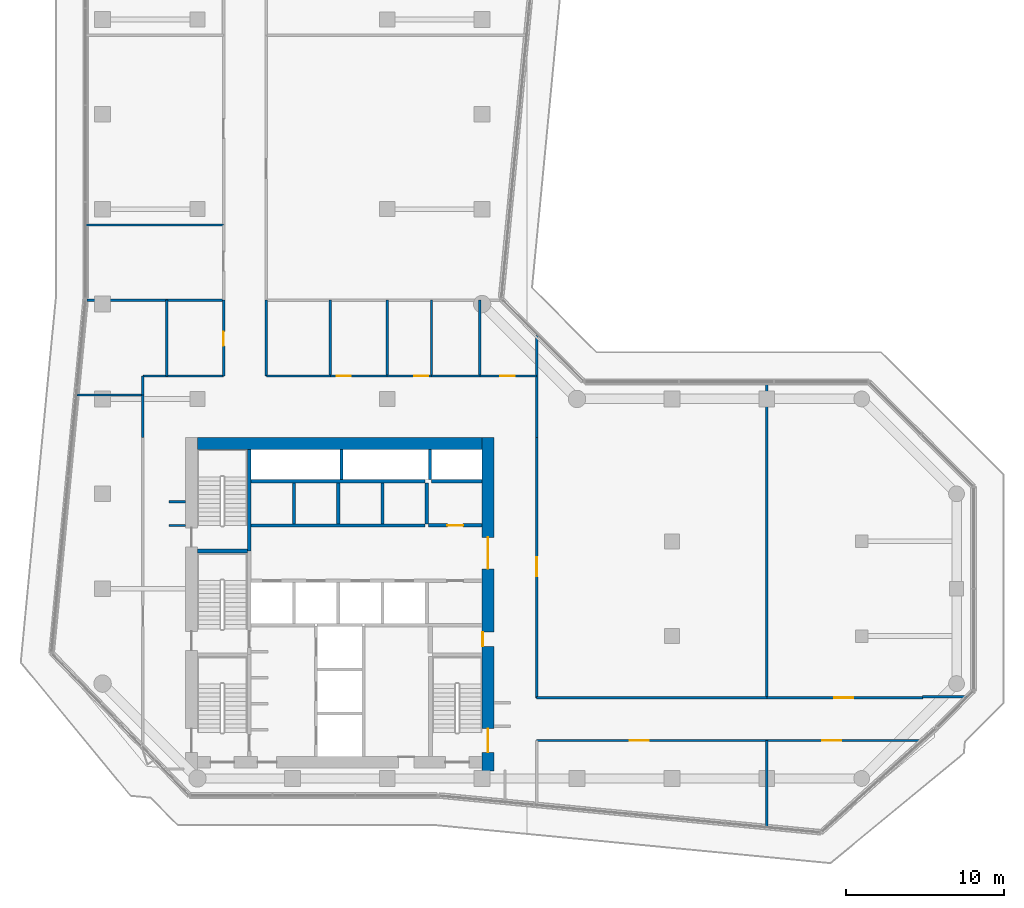
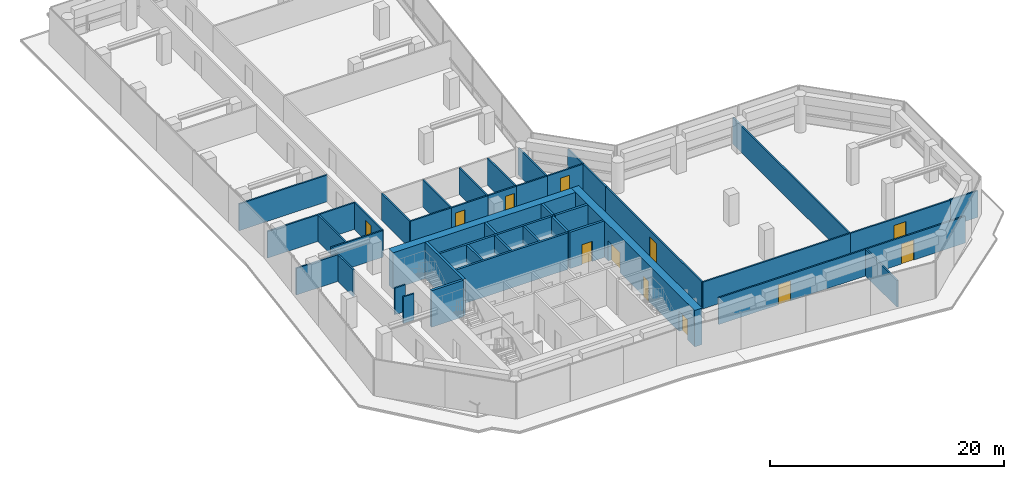
# One storey, part 9 of 12: 43 walls, 12 doors, 12 openings.
"""IFC4 building model written with IfcOpenShell, lengths in metres."""

from ifc_helpers import new_model, si_unit, direction, frame, frame_2d, origin, place, context, subcontext, project, spatial, rectangle, extrude, material, layer, layer_set, type_object, element, fill, save


model = new_model("IFC4")

# Units and contexts
model_context = context("Model", 3, precision=1e-05, world=origin(), true_north=direction((0.0, 1.0)))
body_context = subcontext(model_context, "Body", "Model", "MODEL_VIEW")
ifc_project = project(units=[si_unit("LENGTHUNIT", "METRE"), si_unit("AREAUNIT", "SQUARE_METRE"), si_unit("VOLUMEUNIT", "CUBIC_METRE"), si_unit("PLANEANGLEUNIT", "RADIAN"), si_unit("MASSUNIT", "GRAM", prefix="KILO")], contexts=[model_context])

# Site, building, storey
site_placement = place(None, origin())
site = spatial("IfcSite", under=ifc_project, at=site_placement, CompositionType="ELEMENT")
building_placement = place(site_placement, origin())
building = spatial("IfcBuilding", under=site, at=building_placement, Name="Welwitschia Terrace Campus", CompositionType="ELEMENT")
storey_placement = place(building_placement, frame((0.0, 0.0, 134.0)))
storey = spatial("IfcBuildingStorey", under=building, at=storey_placement, Name="L30", CompositionType="ELEMENT", Elevation=134.0)

# Wall, opening, door
ifc_material_1 = material(Name="Concrete C32/40", Category="concrete")
ifc_layer_1 = layer(ifc_material_1, 0.22509765625)
ifc_layer_set_1 = layer_set([ifc_layer_1], Name="Concrete C32/40")
wall_type_1 = type_object("IfcWallType", Name="Core partition 225 Concrete C32/40", PredefinedType="PARTITIONING", material=ifc_layer_set_1)
wall_1_placement = place(storey_placement, frame((24.0, 20.0, 0.0), z_axis=(0.0, 0.0, 1.0), x_axis=(-1.0, 0.0, 0.0)))
wall_1 = element("IfcWall", 1, at=wall_1_placement, inside=storey, type_object=wall_type_1, Name="Core partition", PredefinedType="PARTITIONING", context=body_context, shape_type="SweptSolid", body=[
    extrude(rectangle(XDim=3.39990234375, YDim=0.22509765625, at=frame_2d((1.699951171875, 0.0))), origin(), (0.0, 0.0, 1.0), 3.800048828125),
])
opening_1_placement = place(wall_1_placement, frame((1.199951171875, 0.0, 0.0)))
opening_1 = element("IfcOpeningElement", 2, at=opening_1_placement, cuts=wall_1, Name="Opening DR10", PredefinedType="OPENING", context=body_context, shape_type="SweptSolid", body=[
    extrude(rectangle(XDim=1.0, YDim=2.10009765625, at=frame_2d((0.5, 1.050048828125))), frame((0.0, 0.12255859375, 0.0), z_axis=(0.0, -1.0, 0.0), x_axis=(1.0, 0.0, 0.0)), (0.0, 0.0, 1.0), 0.2451171875),
])
ifc_material_2 = material(Name="Steel S275", Category="steel")
door_type_1 = type_object("IfcDoorType", Name="Core door DR10", OperationType="SINGLE_SWING_LEFT", PredefinedType="DOOR", material=ifc_material_2)
door_1_placement = place(opening_1_placement, origin())
door_1 = element("IfcDoor", 3, at=door_1_placement, inside=storey, type_object=door_type_1, Name="Door EH-D", OperationType="SINGLE_SWING_RIGHT", OverallHeight=2.10009765625, OverallWidth=1.0, PredefinedType="DOOR", context=body_context, shape_type="SweptSolid", body=[
    extrude(rectangle(XDim=1.0, YDim=2.10009765625, at=frame_2d((0.5, 1.050048828125))), frame((0.0, 0.02490234375, 0.0), z_axis=(0.0, -1.0, 0.0), x_axis=(1.0, 0.0, 0.0)), (0.0, 0.0, 1.0), 0.050048828125),
])
fill(opening_1, door_1)

# Walls
wall_2_placement = place(storey_placement, frame((20.800048828125, 22.800048828125, 0.0), z_axis=(0.0, 0.0, 1.0), x_axis=(1.0, 0.0, 0.0)))
element("IfcWall", 4, at=wall_2_placement, inside=storey, type_object=wall_type_1, Name="Shaft wall", PredefinedType="PARTITIONING", context=body_context, shape_type="SweptSolid", body=[
    extrude(rectangle(XDim=3.199951171875, YDim=0.22509765625, at=frame_2d((1.60009765625, 0.0))), origin(), (0.0, 0.0, 1.0), 3.800048828125),
])
wall_3_placement = place(storey_placement, frame((20.5, 20.10009765625, 0.0), z_axis=(0.0, 0.0, 1.0), x_axis=(0.0, 1.0, 0.0)))
element("IfcWall", 5, at=wall_3_placement, inside=storey, type_object=wall_type_1, Name="Shaft wall", PredefinedType="PARTITIONING", context=body_context, shape_type="SweptSolid", body=[
    extrude(rectangle(XDim=2.599853515625, YDim=0.22509765625, at=frame_2d((1.2998046875, 0.0))), origin(), (0.0, 0.0, 1.0), 3.800048828125),
])
ifc_material_3 = material(Name="Concrete C50/60", Category="concrete")
ifc_layer_2 = layer(ifc_material_3, 0.199951171875)
ifc_layer_set_2 = layer_set([ifc_layer_2], Name="Concrete C50/60")
wall_type_2 = type_object("IfcWallType", Name="Core wall 200 Concrete C50/60", PredefinedType="SHEAR", material=ifc_layer_set_2)
for number, where, z_axis, x_axis, name in (
    (6, (9.39990234375, 20.0, 0.0), (0.0, 0.0, 1.0), (1.0, 0.0, 0.0), "Core wall"),
    (7, (9.39990234375, 22.800048828125, 0.0), (0.0, 0.0, 1.0), (1.0, 0.0, 0.0), "Core wall"),
):
    element("IfcWall", number, at=place(storey_placement, frame(where, z_axis=z_axis, x_axis=x_axis)), inside=storey, type_object=wall_type_2, Name=name, PredefinedType="SHEAR", context=body_context, shape_type="SweptSolid", body=[
        extrude(rectangle(XDim=11.0, YDim=0.199951171875, at=frame_2d((5.5, 0.0))), origin(), (0.0, 0.0, 1.0), 3.800048828125),
    ])
for number, where, z_axis, x_axis, name in (
    (8, (12.10009765625, 20.10009765625, 0.0), (0.0, 0.0, 1.0), (0.0, 1.0, 0.0), "Core wall"),
    (9, (14.89990234375, 20.10009765625, 0.0), (0.0, 0.0, 1.0), (0.0, 1.0, 0.0), "Core wall"),
):
    element("IfcWall", number, at=place(storey_placement, frame(where, z_axis=z_axis, x_axis=x_axis)), inside=storey, type_object=wall_type_2, Name=name, PredefinedType="SHEAR", context=body_context, shape_type="SweptSolid", body=[
        extrude(rectangle(XDim=2.599853515625, YDim=0.199951171875, at=frame_2d((1.2998046875, 0.0))), origin(), (0.0, 0.0, 1.0), 3.800048828125),
    ])
wall_4_placement = place(storey_placement, frame((15.10009765625, 22.89990234375, 0.0), z_axis=(0.0, 0.0, 1.0), x_axis=(0.0, 1.0, 0.0)))
element("IfcWall", 10, at=wall_4_placement, inside=storey, type_object=wall_type_2, Name="Core wall", PredefinedType="SHEAR", context=body_context, shape_type="SweptSolid", body=[
    extrude(rectangle(XDim=1.900146484375, YDim=0.199951171875, at=frame_2d((0.9501953125, 0.0))), origin(), (0.0, 0.0, 1.0), 3.800048828125),
])
wall_5_placement = place(storey_placement, frame((17.699951171875, 20.10009765625, 0.0), z_axis=(0.0, 0.0, 1.0), x_axis=(0.0, 1.0, 0.0)))
element("IfcWall", 11, at=wall_5_placement, inside=storey, type_object=wall_type_2, Name="Core wall", PredefinedType="SHEAR", context=body_context, shape_type="SweptSolid", body=[
    extrude(rectangle(XDim=2.599853515625, YDim=0.199951171875, at=frame_2d((1.2998046875, 0.0))), origin(), (0.0, 0.0, 1.0), 3.800048828125),
])
wall_6_placement = place(storey_placement, frame((20.699951171875, 22.89990234375, 0.0), z_axis=(0.0, 0.0, 1.0), x_axis=(0.0, 1.0, 0.0)))
element("IfcWall", 12, at=wall_6_placement, inside=storey, type_object=wall_type_2, Name="Core wall", PredefinedType="SHEAR", context=body_context, shape_type="SweptSolid", body=[
    extrude(rectangle(XDim=1.900146484375, YDim=0.199951171875, at=frame_2d((0.9501953125, 0.0))), origin(), (0.0, 0.0, 1.0), 3.800048828125),
])
ifc_material_4 = material(Name="Concrete C50/60", Category="concrete")
ifc_layer_3 = layer(ifc_material_4, 0.25)
ifc_layer_set_3 = layer_set([ifc_layer_3], Name="Concrete C50/60")
wall_type_3 = type_object("IfcWallType", Name="Core wall 250 Concrete C50/60", PredefinedType="SHEAR", material=ifc_layer_set_3)
wall_7_placement = place(storey_placement, frame((6.0, 18.375, 0.0), z_axis=(0.0, 0.0, 1.0), x_axis=(1.0, 0.0, 0.0)))
element("IfcWall", 13, at=wall_7_placement, inside=storey, type_object=wall_type_3, Name="Core wall", PredefinedType="SHEAR", context=body_context, shape_type="SweptSolid", body=[
    extrude(rectangle(XDim=3.14990234375, YDim=0.25, at=frame_2d((1.574951171875, 0.0))), origin(), (0.0, 0.0, 1.0), 3.800048828125),
])
wall_8_placement = place(storey_placement, frame((9.27490234375, 18.375, 0.0), z_axis=(0.0, 0.0, 1.0), x_axis=(0.0, 1.0, 0.0)))
element("IfcWall", 14, at=wall_8_placement, inside=storey, type_object=wall_type_3, Name="Core wall", PredefinedType="SHEAR", context=body_context, shape_type="SweptSolid", body=[
    extrude(rectangle(XDim=6.425048828125, YDim=0.25, at=frame_2d((3.21240234375, 0.0))), origin(), (0.0, 0.0, 1.0), 3.800048828125),
])

# Wall, openings, doors
ifc_material_5 = material(Name="Concrete C70/85", Category="concrete")
ifc_layer_4 = layer(ifc_material_5, 0.75)
ifc_layer_set_4 = layer_set([ifc_layer_4], Name="Concrete C70/85")
wall_type_4 = type_object("IfcWallType", Name="Core wall 750 Concrete C70/85", PredefinedType="SHEAR", material=ifc_layer_set_4)
wall_9_placement = place(storey_placement, frame((24.375, 25.550048828125, 0.0), z_axis=(0.0, 0.0, 1.0), x_axis=(0.0, -1.0, 0.0)))
wall_9 = element("IfcWall", 15, at=wall_9_placement, inside=storey, type_object=wall_type_4, Name="Core outer wall", PredefinedType="SHEAR", context=body_context, shape_type="SweptSolid", body=[
    extrude(rectangle(XDim=21.080078125, YDim=0.75, at=frame_2d((10.5400390625, 0.0))), origin(), (0.0, 0.0, 1.0), 3.800048828125),
])
opening_2_placement = place(wall_9_placement, frame((18.39990234375, 0.0, 0.0)))
opening_2 = element("IfcOpeningElement", 16, at=opening_2_placement, cuts=wall_9, Name="Opening DS15", PredefinedType="OPENING", context=body_context, shape_type="SweptSolid", body=[
    extrude(rectangle(XDim=1.5, YDim=2.10009765625, at=frame_2d((0.75, 1.050048828125))), frame((0.0, 0.385009765625, 0.0), z_axis=(0.0, -1.0, 0.0), x_axis=(1.0, 0.0, 0.0)), (0.0, 0.0, 1.0), 0.77001953125),
])
opening_3_placement = place(wall_9_placement, frame((12.300048828125, 0.0, 0.0)))
opening_3 = element("IfcOpeningElement", 17, at=opening_3_placement, cuts=wall_9, Name="Opening DR09", PredefinedType="OPENING", context=body_context, shape_type="SweptSolid", body=[
    extrude(rectangle(XDim=0.89990234375, YDim=2.10009765625, at=frame_2d((0.449951171875, 1.050048828125))), frame((0.0, 0.385009765625, 0.0), z_axis=(0.0, -1.0, 0.0), x_axis=(1.0, 0.0, 0.0)), (0.0, 0.0, 1.0), 0.77001953125),
])
opening_4_placement = place(wall_9_placement, frame((6.300048828125, 0.0, 0.0)))
opening_4 = element("IfcOpeningElement", 18, at=opening_4_placement, cuts=wall_9, Name="Opening DL20", PredefinedType="OPENING", context=body_context, shape_type="SweptSolid", body=[
    extrude(rectangle(XDim=2.0, YDim=2.10009765625, at=frame_2d((1.0, 1.050048828125))), frame((0.0, 0.385009765625, 0.0), z_axis=(0.0, -1.0, 0.0), x_axis=(1.0, 0.0, 0.0)), (0.0, 0.0, 1.0), 0.77001953125),
])
ifc_material_6 = material(Name="Steel S275", Category="steel")
door_type_2 = type_object("IfcDoorType", Name="Core door DL20", OperationType="DOUBLE_DOOR_SINGLE_SWING", PredefinedType="DOOR", material=ifc_material_6)
door_2_placement = place(opening_4_placement, origin())
door_2 = element("IfcDoor", 19, at=door_2_placement, inside=storey, type_object=door_type_2, Name="Door LOBBY-out", OperationType="DOUBLE_DOOR_SINGLE_SWING", OverallHeight=2.10009765625, OverallWidth=2.0, PredefinedType="DOOR", context=body_context, shape_type="SweptSolid", body=[
    extrude(rectangle(XDim=2.0, YDim=2.10009765625, at=frame_2d((1.0, 1.050048828125))), frame((0.0, 0.02490234375, 0.0), z_axis=(0.0, -1.0, 0.0), x_axis=(1.0, 0.0, 0.0)), (0.0, 0.0, 1.0), 0.050048828125),
])
fill(opening_4, door_2)
ifc_material_7 = material(Name="Steel S275", Category="steel")
door_type_3 = type_object("IfcDoorType", Name="Core door DR09", OperationType="SINGLE_SWING_LEFT", PredefinedType="DOOR", material=ifc_material_7)
door_3_placement = place(opening_3_placement, origin())
door_3 = element("IfcDoor", 20, at=door_3_placement, inside=storey, type_object=door_type_3, Name="Door F1B-out", OperationType="SINGLE_SWING_RIGHT", OverallHeight=2.10009765625, OverallWidth=0.89990234375, PredefinedType="DOOR", context=body_context, shape_type="SweptSolid", body=[
    extrude(rectangle(XDim=0.89990234375, YDim=2.10009765625, at=frame_2d((0.449951171875, 1.050048828125))), frame((0.0, -0.31494140625, 0.0), z_axis=(0.0, -1.0, 0.0), x_axis=(1.0, 0.0, 0.0)), (0.0, 0.0, 1.0), 0.050048828125),
])
fill(opening_3, door_3)
ifc_material_8 = material(Name="Steel S275", Category="steel")
door_type_4 = type_object("IfcDoorType", Name="Core door DS15", OperationType="DOUBLE_DOOR_SINGLE_SWING", PredefinedType="DOOR", material=ifc_material_8)
door_4_placement = place(opening_2_placement, origin())
door_4 = element("IfcDoor", 21, at=door_4_placement, inside=storey, type_object=door_type_4, Name="Door S2-out", OperationType="DOUBLE_DOOR_SINGLE_SWING", OverallHeight=2.10009765625, OverallWidth=1.5, PredefinedType="DOOR", context=body_context, shape_type="SweptSolid", body=[
    extrude(rectangle(XDim=1.5, YDim=2.10009765625, at=frame_2d((0.75, 1.050048828125))), frame((0.0, 0.02490234375, 0.0), z_axis=(0.0, -1.0, 0.0), x_axis=(1.0, 0.0, 0.0)), (0.0, 0.0, 1.0), 0.050048828125),
])
fill(opening_2, door_4)

# Walls
wall_10_placement = place(storey_placement, frame((6.0, 25.175048828125, 0.0), z_axis=(0.0, 0.0, 1.0), x_axis=(1.0, 0.0, 0.0)))
element("IfcWall", 22, at=wall_10_placement, inside=storey, type_object=wall_type_4, Name="Core outer wall", PredefinedType="SHEAR", context=body_context, shape_type="SweptSolid", body=[
    extrude(rectangle(XDim=18.0, YDim=0.75, at=frame_2d((9.0, 0.0))), origin(), (0.0, 0.0, 1.0), 3.800048828125),
])
ifc_material_9 = material(Name="Gypsum board on steel studs", Category="steel")
ifc_layer_5 = layer(ifc_material_9, 0.14990234375)
ifc_layer_set_5 = layer_set([ifc_layer_5], Name="Gypsum board on steel studs")
wall_type_5 = type_object("IfcWallType", Name="Corridor partition 150 EI 30", PredefinedType="PARTITIONING", material=ifc_layer_set_5)
wall_11_placement = place(storey_placement, frame((-1.6201171875, 28.25, 0.0), z_axis=(0.0, 0.0, 1.0), x_axis=(1.0, 0.0, 0.0)))
element("IfcWall", 23, at=wall_11_placement, inside=storey, type_object=wall_type_5, Name="Partition", PredefinedType="PARTITIONING", context=body_context, shape_type="SweptSolid", body=[
    extrude(rectangle(XDim=4.170166015625, YDim=0.14990234375, at=frame_2d((2.0849609375, 0.0))), origin(), (0.0, 0.0, 1.0), 2.780029296875),
])
wall_12_placement = place(storey_placement, frame((-0.98095703125, 34.25, 0.0), z_axis=(0.0, 0.0, 1.0), x_axis=(1.0, 0.0, 0.0)))
element("IfcWall", 24, at=wall_12_placement, inside=storey, type_object=wall_type_5, Name="Partition", PredefinedType="PARTITIONING", context=body_context, shape_type="SweptSolid", body=[
    extrude(rectangle(XDim=8.630859375, YDim=0.14990234375, at=frame_2d((4.3154296875, 0.0))), origin(), (0.0, 0.0, 1.0), 2.780029296875),
])
wall_13_placement = place(storey_placement, frame((-1.0400390625, 39.0, 0.0), z_axis=(0.0, 0.0, 1.0), x_axis=(1.0, 0.0, 0.0)))
element("IfcWall", 25, at=wall_13_placement, inside=storey, type_object=wall_type_5, Name="Partition", PredefinedType="PARTITIONING", context=body_context, shape_type="SweptSolid", body=[
    extrude(rectangle(XDim=8.68994140625, YDim=0.14990234375, at=frame_2d((4.344970703125, 0.0))), origin(), (0.0, 0.0, 1.0), 2.780029296875),
])
wall_14_placement = place(storey_placement, frame((2.550048828125, 25.550048828125, 0.0), z_axis=(0.0, 0.0, 1.0), x_axis=(0.0, 1.0, 0.0)))
element("IfcWall", 26, at=wall_14_placement, inside=storey, type_object=wall_type_5, Name="Partition", PredefinedType="PARTITIONING", context=body_context, shape_type="SweptSolid", body=[
    extrude(rectangle(XDim=2.699951171875, YDim=0.14990234375, at=frame_2d((1.35009765625, 0.0))), origin(), (0.0, 0.0, 1.0), 2.780029296875),
])
wall_15_placement = place(storey_placement, frame((2.550048828125, 28.25, 0.0), z_axis=(0.0, 0.0, 1.0), x_axis=(0.0, 1.0, 0.0)))
element("IfcWall", 27, at=wall_15_placement, inside=storey, type_object=wall_type_5, Name="Partition", PredefinedType="PARTITIONING", context=body_context, shape_type="SweptSolid", body=[
    extrude(rectangle(XDim=1.199951171875, YDim=0.14990234375, at=frame_2d((0.60009765625, 0.0))), origin(), (0.0, 0.0, 1.0), 2.780029296875),
])
wall_16_placement = place(storey_placement, frame((2.550048828125, 29.449951171875, 0.0), z_axis=(0.0, 0.0, 1.0), x_axis=(1.0, 0.0, 0.0)))
element("IfcWall", 28, at=wall_16_placement, inside=storey, type_object=wall_type_5, Name="Partition", PredefinedType="PARTITIONING", context=body_context, shape_type="SweptSolid", body=[
    extrude(rectangle(XDim=5.099853515625, YDim=0.14990234375, at=frame_2d((2.5498046875, 0.0))), origin(), (0.0, 0.0, 1.0), 2.780029296875),
])
wall_17_placement = place(storey_placement, frame((4.050048828125, 29.449951171875, 0.0), z_axis=(0.0, 0.0, 1.0), x_axis=(0.0, 1.0, 0.0)))
element("IfcWall", 29, at=wall_17_placement, inside=storey, type_object=wall_type_5, Name="Partition", PredefinedType="PARTITIONING", context=body_context, shape_type="SweptSolid", body=[
    extrude(rectangle(XDim=4.800048828125, YDim=0.14990234375, at=frame_2d((2.39990234375, 0.0))), origin(), (0.0, 0.0, 1.0), 2.780029296875),
])
for number, where, z_axis, x_axis, name in (
    (30, (4.199951171875, 20.0, 0.0), (0.0, 0.0, 1.0), (1.0, 0.0, 0.0), "Partition"),
    (31, (4.199951171875, 21.5, 0.0), (0.0, 0.0, 1.0), (1.0, 0.0, 0.0), "Partition"),
):
    element("IfcWall", number, at=place(storey_placement, frame(where, z_axis=z_axis, x_axis=x_axis)), inside=storey, type_object=wall_type_5, Name=name, PredefinedType="PARTITIONING", context=body_context, shape_type="SweptSolid", body=[
        extrude(rectangle(XDim=1.050048828125, YDim=0.14990234375, at=frame_2d((0.52490234375, 0.0))), origin(), (0.0, 0.0, 1.0), 2.780029296875),
    ])

# Wall, opening, door
wall_18_placement = place(storey_placement, frame((7.64990234375, 29.449951171875, 0.0), z_axis=(0.0, 0.0, 1.0), x_axis=(0.0, 1.0, 0.0)))
wall_18 = element("IfcWall", 32, at=wall_18_placement, inside=storey, type_object=wall_type_5, Name="Partition", PredefinedType="PARTITIONING", context=body_context, shape_type="SweptSolid", body=[
    extrude(rectangle(XDim=4.800048828125, YDim=0.14990234375, at=frame_2d((2.39990234375, 0.0))), origin(), (0.0, 0.0, 1.0), 2.780029296875),
])
opening_5_placement = place(wall_18_placement, frame((1.89990234375, 0.0, 0.0)))
opening_5 = element("IfcOpeningElement", 33, at=opening_5_placement, cuts=wall_18, Name="Opening DI09", PredefinedType="OPENING", context=body_context, shape_type="SweptSolid", body=[
    extrude(rectangle(XDim=0.89990234375, YDim=2.10009765625, at=frame_2d((0.449951171875, 1.050048828125))), frame((0.0, 0.0849609375, 0.0), z_axis=(0.0, -1.0, 0.0), x_axis=(1.0, 0.0, 0.0)), (0.0, 0.0, 1.0), 0.169921875),
])
ifc_material_10 = material(Name="Timber veneered door", Category="wood")
door_type_5 = type_object("IfcDoorType", Name="Interior door DI09", OperationType="NOTDEFINED", PredefinedType="DOOR", material=ifc_material_10)
door_5_placement = place(opening_5_placement, origin())
door_5 = element("IfcDoor", 34, at=door_5_placement, inside=storey, type_object=door_type_5, Name="Door L30 635", OperationType="SINGLE_SWING_RIGHT", OverallHeight=2.10009765625, OverallWidth=0.89990234375, PredefinedType="DOOR", context=body_context, shape_type="SweptSolid", body=[
    extrude(rectangle(XDim=0.89990234375, YDim=2.10009765625, at=frame_2d((0.449951171875, 1.050048828125))), frame((0.0, 0.02490234375, 0.0), z_axis=(0.0, -1.0, 0.0), x_axis=(1.0, 0.0, 0.0)), (0.0, 0.0, 1.0), 0.050048828125),
])
fill(opening_5, door_5)

# Walls
wall_19_placement = place(storey_placement, frame((10.35009765625, 29.449951171875, 0.0), z_axis=(0.0, 0.0, 1.0), x_axis=(0.0, 1.0, 0.0)))
element("IfcWall", 35, at=wall_19_placement, inside=storey, type_object=wall_type_5, Name="Partition", PredefinedType="PARTITIONING", context=body_context, shape_type="SweptSolid", body=[
    extrude(rectangle(XDim=4.800048828125, YDim=0.14990234375, at=frame_2d((2.39990234375, 0.0))), origin(), (0.0, 0.0, 1.0), 2.780029296875),
])
wall_20_placement = place(storey_placement, frame((10.35009765625, 29.449951171875, 0.0), z_axis=(0.0, 0.0, 1.0), x_axis=(1.0, 0.0, 0.0)))
element("IfcWall", 36, at=wall_20_placement, inside=storey, type_object=wall_type_5, Name="Partition", PredefinedType="PARTITIONING", context=body_context, shape_type="SweptSolid", body=[
    extrude(rectangle(XDim=4.0498046875, YDim=0.14990234375, at=frame_2d((2.02490234375, 0.0))), origin(), (0.0, 0.0, 1.0), 2.780029296875),
])
wall_21_placement = place(storey_placement, frame((14.39990234375, 29.449951171875, 0.0), z_axis=(0.0, 0.0, 1.0), x_axis=(0.0, 1.0, 0.0)))
element("IfcWall", 37, at=wall_21_placement, inside=storey, type_object=wall_type_5, Name="Partition", PredefinedType="PARTITIONING", context=body_context, shape_type="SweptSolid", body=[
    extrude(rectangle(XDim=4.800048828125, YDim=0.14990234375, at=frame_2d((2.39990234375, 0.0))), origin(), (0.0, 0.0, 1.0), 2.780029296875),
])

# Wall, opening, door
wall_22_placement = place(storey_placement, frame((14.39990234375, 29.449951171875, 0.0), z_axis=(0.0, 0.0, 1.0), x_axis=(1.0, 0.0, 0.0)))
wall_22 = element("IfcWall", 38, at=wall_22_placement, inside=storey, type_object=wall_type_5, Name="Partition", PredefinedType="PARTITIONING", context=body_context, shape_type="SweptSolid", body=[
    extrude(rectangle(XDim=3.60009765625, YDim=0.14990234375, at=frame_2d((1.800048828125, 0.0))), origin(), (0.0, 0.0, 1.0), 2.780029296875),
])
opening_6_placement = place(wall_22_placement, frame((0.39990234375, 0.0, 0.0)))
opening_6 = element("IfcOpeningElement", 39, at=opening_6_placement, cuts=wall_22, Name="Opening DI09", PredefinedType="OPENING", context=body_context, shape_type="SweptSolid", body=[
    extrude(rectangle(XDim=0.89990234375, YDim=2.10009765625, at=frame_2d((0.449951171875, 1.050048828125))), frame((0.0, 0.0849609375, 0.0), z_axis=(0.0, -1.0, 0.0), x_axis=(1.0, 0.0, 0.0)), (0.0, 0.0, 1.0), 0.169921875),
])
door_6_placement = place(opening_6_placement, origin())
door_6 = element("IfcDoor", 40, at=door_6_placement, inside=storey, type_object=door_type_5, Name="Door L30 642", OperationType="SINGLE_SWING_LEFT", OverallHeight=2.10009765625, OverallWidth=0.89990234375, PredefinedType="DOOR", context=body_context, shape_type="SweptSolid", body=[
    extrude(rectangle(XDim=0.89990234375, YDim=2.10009765625, at=frame_2d((0.449951171875, 1.050048828125))), frame((0.0, 0.02490234375, 0.0), z_axis=(0.0, -1.0, 0.0), x_axis=(1.0, 0.0, 0.0)), (0.0, 0.0, 1.0), 0.050048828125),
])
fill(opening_6, door_6)

# Wall
wall_23_placement = place(storey_placement, frame((18.0, 29.449951171875, 0.0), z_axis=(0.0, 0.0, 1.0), x_axis=(0.0, 1.0, 0.0)))
element("IfcWall", 41, at=wall_23_placement, inside=storey, type_object=wall_type_5, Name="Partition", PredefinedType="PARTITIONING", context=body_context, shape_type="SweptSolid", body=[
    extrude(rectangle(XDim=4.800048828125, YDim=0.14990234375, at=frame_2d((2.39990234375, 0.0))), origin(), (0.0, 0.0, 1.0), 2.780029296875),
])

# Wall, opening, door
wall_24_placement = place(storey_placement, frame((18.0, 29.449951171875, 0.0), z_axis=(0.0, 0.0, 1.0), x_axis=(1.0, 0.0, 0.0)))
wall_24 = element("IfcWall", 42, at=wall_24_placement, inside=storey, type_object=wall_type_5, Name="Partition", PredefinedType="PARTITIONING", context=body_context, shape_type="SweptSolid", body=[
    extrude(rectangle(XDim=2.800048828125, YDim=0.14990234375, at=frame_2d((1.39990234375, 0.0))), origin(), (0.0, 0.0, 1.0), 2.780029296875),
])
opening_7_placement = place(wall_24_placement, frame((1.699951171875, 0.0, 0.0)))
opening_7 = element("IfcOpeningElement", 43, at=opening_7_placement, cuts=wall_24, Name="Opening DI09", PredefinedType="OPENING", context=body_context, shape_type="SweptSolid", body=[
    extrude(rectangle(XDim=0.89990234375, YDim=2.10009765625, at=frame_2d((0.449951171875, 1.050048828125))), frame((0.0, 0.0849609375, 0.0), z_axis=(0.0, -1.0, 0.0), x_axis=(1.0, 0.0, 0.0)), (0.0, 0.0, 1.0), 0.169921875),
])
door_7_placement = place(opening_7_placement, origin())
door_7 = element("IfcDoor", 44, at=door_7_placement, inside=storey, type_object=door_type_5, Name="Door L30 643", OperationType="SINGLE_SWING_RIGHT", OverallHeight=2.10009765625, OverallWidth=0.89990234375, PredefinedType="DOOR", context=body_context, shape_type="SweptSolid", body=[
    extrude(rectangle(XDim=0.89990234375, YDim=2.10009765625, at=frame_2d((0.449951171875, 1.050048828125))), frame((0.0, 0.02490234375, 0.0), z_axis=(0.0, -1.0, 0.0), x_axis=(1.0, 0.0, 0.0)), (0.0, 0.0, 1.0), 0.050048828125),
])
fill(opening_7, door_7)

# Walls
wall_25_placement = place(storey_placement, frame((20.800048828125, 29.449951171875, 0.0), z_axis=(0.0, 0.0, 1.0), x_axis=(0.0, 1.0, 0.0)))
element("IfcWall", 45, at=wall_25_placement, inside=storey, type_object=wall_type_5, Name="Partition", PredefinedType="PARTITIONING", context=body_context, shape_type="SweptSolid", body=[
    extrude(rectangle(XDim=4.800048828125, YDim=0.14990234375, at=frame_2d((2.39990234375, 0.0))), origin(), (0.0, 0.0, 1.0), 2.780029296875),
])
wall_26_placement = place(storey_placement, frame((20.800048828125, 29.449951171875, 0.0), z_axis=(0.0, 0.0, 1.0), x_axis=(1.0, 0.0, 0.0)))
element("IfcWall", 46, at=wall_26_placement, inside=storey, type_object=wall_type_5, Name="Partition", PredefinedType="PARTITIONING", context=body_context, shape_type="SweptSolid", body=[
    extrude(rectangle(XDim=3.050048828125, YDim=0.14990234375, at=frame_2d((1.52490234375, 0.0))), origin(), (0.0, 0.0, 1.0), 2.780029296875),
])
wall_27_placement = place(storey_placement, frame((23.85009765625, 29.449951171875, 0.0), z_axis=(0.0, 0.0, 1.0), x_axis=(0.0, 1.0, 0.0)))
element("IfcWall", 47, at=wall_27_placement, inside=storey, type_object=wall_type_5, Name="Partition", PredefinedType="PARTITIONING", context=body_context, shape_type="SweptSolid", body=[
    extrude(rectangle(XDim=4.800048828125, YDim=0.14990234375, at=frame_2d((2.39990234375, 0.0))), origin(), (0.0, 0.0, 1.0), 2.780029296875),
])

# Wall, opening, door
wall_28_placement = place(storey_placement, frame((23.85009765625, 29.449951171875, 0.0), z_axis=(0.0, 0.0, 1.0), x_axis=(1.0, 0.0, 0.0)))
wall_28 = element("IfcWall", 48, at=wall_28_placement, inside=storey, type_object=wall_type_5, Name="Partition", PredefinedType="PARTITIONING", context=body_context, shape_type="SweptSolid", body=[
    extrude(rectangle(XDim=3.599853515625, YDim=0.14990234375, at=frame_2d((1.7998046875, 0.0))), origin(), (0.0, 0.0, 1.0), 2.780029296875),
])
opening_8_placement = place(wall_28_placement, frame((1.300048828125, 0.0, 0.0)))
opening_8 = element("IfcOpeningElement", 49, at=opening_8_placement, cuts=wall_28, Name="Opening DI09", PredefinedType="OPENING", context=body_context, shape_type="SweptSolid", body=[
    extrude(rectangle(XDim=0.89990234375, YDim=2.10009765625, at=frame_2d((0.449951171875, 1.050048828125))), frame((0.0, 0.0849609375, 0.0), z_axis=(0.0, -1.0, 0.0), x_axis=(1.0, 0.0, 0.0)), (0.0, 0.0, 1.0), 0.169921875),
])
door_8_placement = place(opening_8_placement, origin())
door_8 = element("IfcDoor", 50, at=door_8_placement, inside=storey, type_object=door_type_5, Name="Door L30 644", OperationType="SINGLE_SWING_LEFT", OverallHeight=2.10009765625, OverallWidth=0.89990234375, PredefinedType="DOOR", context=body_context, shape_type="SweptSolid", body=[
    extrude(rectangle(XDim=0.89990234375, YDim=2.10009765625, at=frame_2d((0.449951171875, 1.050048828125))), frame((0.0, 0.02490234375, 0.0), z_axis=(0.0, -1.0, 0.0), x_axis=(1.0, 0.0, 0.0)), (0.0, 0.0, 1.0), 0.050048828125),
])
fill(opening_8, door_8)

# Wall
wall_29_placement = place(storey_placement, frame((27.449951171875, 9.10009765625, 0.0), z_axis=(0.0, 0.0, 1.0), x_axis=(1.0, 0.0, 0.0)))
element("IfcWall", 51, at=wall_29_placement, inside=storey, type_object=wall_type_5, Name="Partition", PredefinedType="PARTITIONING", context=body_context, shape_type="SweptSolid", body=[
    extrude(rectangle(XDim=14.550048828125, YDim=0.14990234375, at=frame_2d((7.27490234375, 0.0))), origin(), (0.0, 0.0, 1.0), 2.780029296875),
])

# Wall, opening, door
wall_30_placement = place(storey_placement, frame((27.449951171875, 25.550048828125, 0.0), z_axis=(0.0, 0.0, 1.0), x_axis=(0.0, -1.0, 0.0)))
wall_30 = element("IfcWall", 52, at=wall_30_placement, inside=storey, type_object=wall_type_5, Name="Partition", PredefinedType="PARTITIONING", context=body_context, shape_type="SweptSolid", body=[
    extrude(rectangle(XDim=16.449951171875, YDim=0.14990234375, at=frame_2d((8.22509765625, 0.0))), origin(), (0.0, 0.0, 1.0), 2.780029296875),
])
opening_9_placement = place(wall_30_placement, frame((7.550048828125, 0.0, 0.0)))
opening_9 = element("IfcOpeningElement", 53, at=opening_9_placement, cuts=wall_30, Name="Opening DX12", PredefinedType="OPENING", context=body_context, shape_type="SweptSolid", body=[
    extrude(rectangle(XDim=1.199951171875, YDim=2.10009765625, at=frame_2d((0.60009765625, 1.050048828125))), frame((0.0, 0.0849609375, 0.0), z_axis=(0.0, -1.0, 0.0), x_axis=(1.0, 0.0, 0.0)), (0.0, 0.0, 1.0), 0.169921875),
])
ifc_material_11 = material(Name="Timber veneered door", Category="wood")
door_type_6 = type_object("IfcDoorType", Name="Interior door DX12", OperationType="NOTDEFINED", PredefinedType="DOOR", material=ifc_material_11)
door_9_placement = place(opening_9_placement, origin())
door_9 = element("IfcDoor", 54, at=door_9_placement, inside=storey, type_object=door_type_6, Name="Door L30 645", OperationType="SINGLE_SWING_RIGHT", OverallHeight=2.10009765625, OverallWidth=1.199951171875, PredefinedType="DOOR", context=body_context, shape_type="SweptSolid", body=[
    extrude(rectangle(XDim=1.199951171875, YDim=2.10009765625, at=frame_2d((0.60009765625, 1.050048828125))), frame((0.0, 0.02490234375, 0.0), z_axis=(0.0, -1.0, 0.0), x_axis=(1.0, 0.0, 0.0)), (0.0, 0.0, 1.0), 0.050048828125),
])
fill(opening_9, door_9)

# Walls
wall_31_placement = place(storey_placement, frame((27.449951171875, 25.550048828125, 0.0), z_axis=(0.0, 0.0, 1.0), x_axis=(0.0, 1.0, 0.0)))
element("IfcWall", 55, at=wall_31_placement, inside=storey, type_object=wall_type_5, Name="Partition", PredefinedType="PARTITIONING", context=body_context, shape_type="SweptSolid", body=[
    extrude(rectangle(XDim=6.469970703125, YDim=0.14990234375, at=frame_2d((3.23486328125, 0.0))), origin(), (0.0, 0.0, 1.0), 2.780029296875),
])
wall_32_placement = place(storey_placement, frame((42.0, 0.9599609375, 0.0), z_axis=(0.0, 0.0, 1.0), x_axis=(0.0, 1.0, 0.0)))
element("IfcWall", 56, at=wall_32_placement, inside=storey, type_object=wall_type_5, Name="Partition", PredefinedType="PARTITIONING", context=body_context, shape_type="SweptSolid", body=[
    extrude(rectangle(XDim=5.43994140625, YDim=0.14990234375, at=frame_2d((2.719970703125, 0.0))), origin(), (0.0, 0.0, 1.0), 2.780029296875),
])

# Wall, opening, door
wall_33_placement = place(storey_placement, frame((42.0, 6.39990234375, 0.0), z_axis=(0.0, 0.0, 1.0), x_axis=(-1.0, 0.0, 0.0)))
wall_33 = element("IfcWall", 57, at=wall_33_placement, inside=storey, type_object=wall_type_5, Name="Partition", PredefinedType="PARTITIONING", context=body_context, shape_type="SweptSolid", body=[
    extrude(rectangle(XDim=14.550048828125, YDim=0.14990234375, at=frame_2d((7.27490234375, 0.0))), origin(), (0.0, 0.0, 1.0), 2.780029296875),
])
opening_10_placement = place(wall_33_placement, frame((7.449951171875, 0.0, 0.0)))
opening_10 = element("IfcOpeningElement", 58, at=opening_10_placement, cuts=wall_33, Name="Opening DX12", PredefinedType="OPENING", context=body_context, shape_type="SweptSolid", body=[
    extrude(rectangle(XDim=1.199951171875, YDim=2.10009765625, at=frame_2d((0.60009765625, 1.050048828125))), frame((0.0, 0.0849609375, 0.0), z_axis=(0.0, -1.0, 0.0), x_axis=(1.0, 0.0, 0.0)), (0.0, 0.0, 1.0), 0.169921875),
])
door_10_placement = place(opening_10_placement, origin())
door_10 = element("IfcDoor", 59, at=door_10_placement, inside=storey, type_object=door_type_6, Name="Door L30 646", OperationType="SINGLE_SWING_LEFT", OverallHeight=2.10009765625, OverallWidth=1.199951171875, PredefinedType="DOOR", context=body_context, shape_type="SweptSolid", body=[
    extrude(rectangle(XDim=1.199951171875, YDim=2.10009765625, at=frame_2d((0.60009765625, 1.050048828125))), frame((0.0, 0.02490234375, 0.0), z_axis=(0.0, -1.0, 0.0), x_axis=(1.0, 0.0, 0.0)), (0.0, 0.0, 1.0), 0.050048828125),
])
fill(opening_10, door_10)

# Wall
wall_34_placement = place(storey_placement, frame((42.0, 9.10009765625, 0.0), z_axis=(0.0, 0.0, 1.0), x_axis=(0.0, 1.0, 0.0)))
element("IfcWall", 60, at=wall_34_placement, inside=storey, type_object=wall_type_5, Name="Partition", PredefinedType="PARTITIONING", context=body_context, shape_type="SweptSolid", body=[
    extrude(rectangle(XDim=19.93994140625, YDim=0.14990234375, at=frame_2d((9.969970703125, 0.0))), origin(), (0.0, 0.0, 1.0), 2.780029296875),
])

# Wall, opening, door
wall_35_placement = place(storey_placement, frame((42.0, 9.10009765625, 0.0), z_axis=(0.0, 0.0, 1.0), x_axis=(1.0, 0.0, 0.0)))
wall_35 = element("IfcWall", 61, at=wall_35_placement, inside=storey, type_object=wall_type_5, Name="Partition", PredefinedType="PARTITIONING", context=body_context, shape_type="SweptSolid", body=[
    extrude(rectangle(XDim=9.8798828125, YDim=0.14990234375, at=frame_2d((4.93994140625, 0.0))), origin(), (0.0, 0.0, 1.0), 2.780029296875),
])
opening_11_placement = place(wall_35_placement, frame((4.280029296875, 0.0, 0.0)))
opening_11 = element("IfcOpeningElement", 62, at=opening_11_placement, cuts=wall_35, Name="Opening DX12", PredefinedType="OPENING", context=body_context, shape_type="SweptSolid", body=[
    extrude(rectangle(XDim=1.199951171875, YDim=2.10009765625, at=frame_2d((0.60009765625, 1.050048828125))), frame((0.0, 0.0849609375, 0.0), z_axis=(0.0, -1.0, 0.0), x_axis=(1.0, 0.0, 0.0)), (0.0, 0.0, 1.0), 0.169921875),
])
door_11_placement = place(opening_11_placement, origin())
door_11 = element("IfcDoor", 63, at=door_11_placement, inside=storey, type_object=door_type_6, Name="Door L30 647", OperationType="SINGLE_SWING_RIGHT", OverallHeight=2.10009765625, OverallWidth=1.199951171875, PredefinedType="DOOR", context=body_context, shape_type="SweptSolid", body=[
    extrude(rectangle(XDim=1.199951171875, YDim=2.10009765625, at=frame_2d((0.60009765625, 1.050048828125))), frame((0.0, 0.02490234375, 0.0), z_axis=(0.0, -1.0, 0.0), x_axis=(1.0, 0.0, 0.0)), (0.0, 0.0, 1.0), 0.050048828125),
])
fill(opening_11, door_11)

wall_36_placement = place(storey_placement, frame((51.780029296875, 6.39990234375, 0.0), z_axis=(0.0, 0.0, 1.0), x_axis=(-1.0, 0.0, 0.0)))
wall_36 = element("IfcWall", 64, at=wall_36_placement, inside=storey, type_object=wall_type_5, Name="Partition", PredefinedType="PARTITIONING", context=body_context, shape_type="SweptSolid", body=[
    extrude(rectangle(XDim=9.780029296875, YDim=0.14990234375, at=frame_2d((4.89013671875, 0.0))), origin(), (0.0, 0.0, 1.0), 2.780029296875),
])
opening_12_placement = place(wall_36_placement, frame((5.080078125, 0.0, 0.0)))
opening_12 = element("IfcOpeningElement", 65, at=opening_12_placement, cuts=wall_36, Name="Opening DX12", PredefinedType="OPENING", context=body_context, shape_type="SweptSolid", body=[
    extrude(rectangle(XDim=1.199951171875, YDim=2.10009765625, at=frame_2d((0.60009765625, 1.050048828125))), frame((0.0, 0.0849609375, 0.0), z_axis=(0.0, -1.0, 0.0), x_axis=(1.0, 0.0, 0.0)), (0.0, 0.0, 1.0), 0.169921875),
])
door_12_placement = place(opening_12_placement, origin())
door_12 = element("IfcDoor", 66, at=door_12_placement, inside=storey, type_object=door_type_6, Name="Door L30 648", OperationType="SINGLE_SWING_LEFT", OverallHeight=2.10009765625, OverallWidth=1.199951171875, PredefinedType="DOOR", context=body_context, shape_type="SweptSolid", body=[
    extrude(rectangle(XDim=1.199951171875, YDim=2.10009765625, at=frame_2d((0.60009765625, 1.050048828125))), frame((0.0, 0.02490234375, 0.0), z_axis=(0.0, -1.0, 0.0), x_axis=(1.0, 0.0, 0.0)), (0.0, 0.0, 1.0), 0.050048828125),
])
fill(opening_12, door_12)

# Wall
wall_37_placement = place(storey_placement, frame((51.85009765625, 9.179931640625, 0.0), z_axis=(0.0, 0.0, 1.0), x_axis=(1.0, 0.0, 0.0)))
element("IfcWall", 67, at=wall_37_placement, inside=storey, type_object=wall_type_5, Name="Partition", PredefinedType="PARTITIONING", context=body_context, shape_type="SweptSolid", body=[
    extrude(rectangle(XDim=2.781005859375, YDim=0.14990234375, at=frame_2d((1.390625, 0.0))), origin(), (0.0, 0.0, 1.0), 2.780029296875),
])

save(model, "model.ifc")
